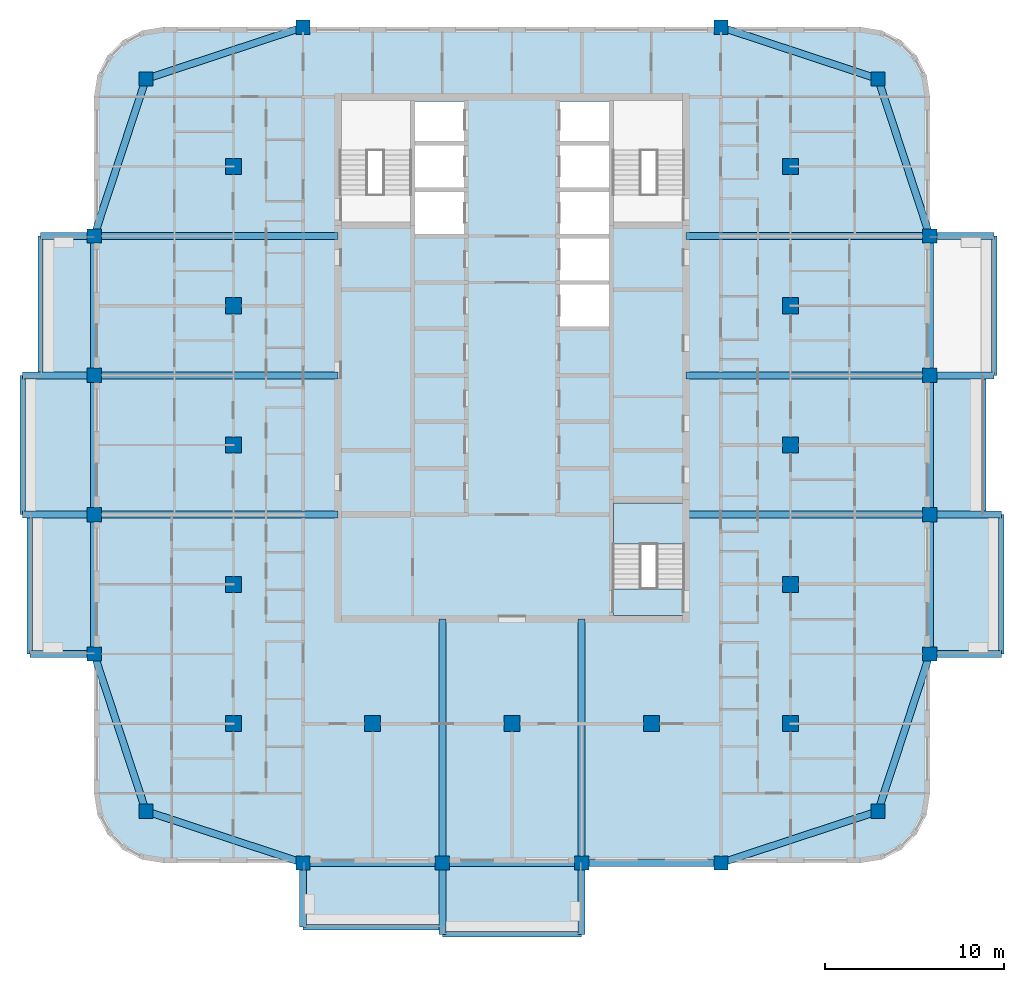
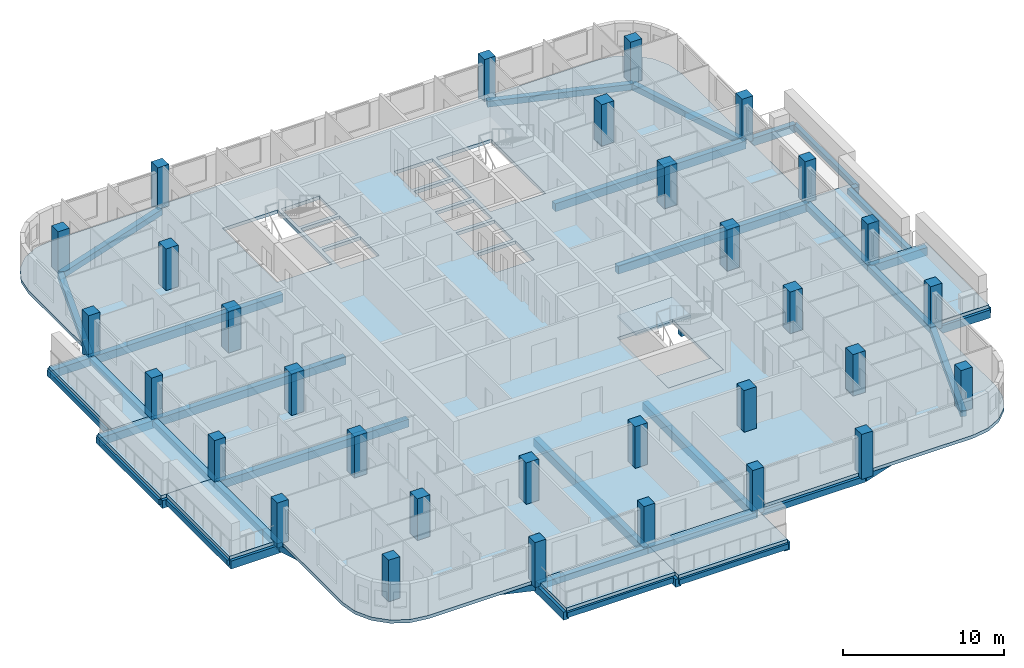
# One storey, part 1 of 16: 44 beams, 31 columns, 10 slabs, 1 element without a shape of its own.
"""IFC4 building model written with IfcOpenShell, lengths in metres."""

from ifc_helpers import new_model, si_unit, direction, frame, origin, origin_2d, place, context, subcontext, project, spatial, polyline, rectangle, outline, extrude, material, layer, layer_set, material_profile, profile_set, type_object, element, aggregate, save


model = new_model("IFC4")

# Units and contexts
model_context = context("Model", 3, precision=1e-05, world=origin(), true_north=direction((0.0, 1.0)))
body_context = subcontext(model_context, "Body", "Model", "MODEL_VIEW")
ifc_project = project(units=[si_unit("LENGTHUNIT", "METRE"), si_unit("AREAUNIT", "SQUARE_METRE"), si_unit("VOLUMEUNIT", "CUBIC_METRE"), si_unit("PLANEANGLEUNIT", "RADIAN"), si_unit("MASSUNIT", "GRAM", prefix="KILO")], contexts=[model_context])

# Site, building, storey
site_placement = place(None, origin())
site = spatial("IfcSite", under=ifc_project, at=site_placement, CompositionType="ELEMENT")
building_placement = place(site_placement, origin())
building = spatial("IfcBuilding", under=site, at=building_placement, Name="Ludao Terraces", CompositionType="ELEMENT")
storey_placement = place(building_placement, frame((0.0, 0.0, 214.300048828125)))
storey = spatial("IfcBuildingStorey", under=building, at=storey_placement, Name="L58", CompositionType="ELEMENT", Elevation=214.300048828125)

# Columns
ifc_material_1 = material(Name="Concrete C50", Category="concrete")
ifc_material_profile_1 = material_profile(ifc_material_1, rectangle(XDim=0.800048828125, YDim=0.800048828125, at=origin_2d()), Name="800 X 800")
ifc_profile_set_1 = profile_set([ifc_material_profile_1], Name="Concrete C50")
column_type_1 = type_object("IfcColumnType", Name="RC column 800x800 C50", PredefinedType="COLUMN", material=ifc_profile_set_1)
for number, where, z_axis, x_axis, name in (
    (1, (64.5, 44.5, -0.25), (0.0, 0.0, 1.0), (1.0, 0.0, 0.0), "Column L58 C0029x0029"),
    (2, (105.5, 44.5, -0.25), (0.0, 0.0, 1.0), (1.0, 0.0, 0.0), "Column L58 C0439x0029"),
    (3, (64.5, 85.5, -0.25), (0.0, 0.0, 1.0), (1.0, 0.0, 0.0), "Column L58 C0029x0439"),
    (4, (105.5, 85.5, -0.25), (0.0, 0.0, 1.0), (1.0, 0.0, 0.0), "Column L58 C0439x0439"),
    (5, (61.60009765625, 53.300048828125, -0.25), (0.0, 0.0, 1.0), (1.0, 0.0, 0.0), "Column L58 F0000x0117"),
    (6, (108.39990234375, 53.300048828125, -0.25), (0.0, 0.0, 1.0), (1.0, 0.0, 0.0), "Column L58 F0468x0117"),
    (7, (73.300048828125, 41.60009765625, -0.25), (0.0, 0.0, 1.0), (1.0, 0.0, 0.0), "Column L58 F0117x0000"),
    (8, (73.300048828125, 88.39990234375, -0.25), (0.0, 0.0, 1.0), (1.0, 0.0, 0.0), "Column L58 F0117x0468"),
    (9, (61.60009765625, 61.10009765625, -0.25), (0.0, 0.0, 1.0), (1.0, 0.0, 0.0), "Column L58 F0000x0195"),
    (10, (108.39990234375, 61.10009765625, -0.25), (0.0, 0.0, 1.0), (1.0, 0.0, 0.0), "Column L58 F0468x0195"),
    (11, (81.10009765625, 41.60009765625, -0.25), (0.0, 0.0, 1.0), (1.0, 0.0, 0.0), "Column L58 F0195x0000"),
    (12, (61.60009765625, 68.89990234375, -0.25), (0.0, 0.0, 1.0), (1.0, 0.0, 0.0), "Column L58 F0000x0273"),
    (13, (108.39990234375, 68.89990234375, -0.25), (0.0, 0.0, 1.0), (1.0, 0.0, 0.0), "Column L58 F0468x0273"),
    (14, (88.89990234375, 41.60009765625, -0.25), (0.0, 0.0, 1.0), (1.0, 0.0, 0.0), "Column L58 F0273x0000"),
    (15, (61.60009765625, 76.699951171875, -0.25), (0.0, 0.0, 1.0), (1.0, 0.0, 0.0), "Column L58 F0000x0351"),
    (16, (108.39990234375, 76.699951171875, -0.25), (0.0, 0.0, 1.0), (1.0, 0.0, 0.0), "Column L58 F0468x0351"),
    (17, (96.699951171875, 41.60009765625, -0.25), (0.0, 0.0, 1.0), (1.0, 0.0, 0.0), "Column L58 F0351x0000"),
    (18, (96.699951171875, 88.39990234375, -0.25), (0.0, 0.0, 1.0), (1.0, 0.0, 0.0), "Column L58 F0351x0468"),
):
    element("IfcColumn", number, at=place(storey_placement, frame(where, z_axis=z_axis, x_axis=x_axis)), inside=storey, type_object=column_type_1, Name=name, PredefinedType="COLUMN", context=body_context, shape_type="SweptSolid", body=[
        extrude(rectangle(XDim=0.800048828125, YDim=0.800048828125, at=origin_2d()), origin(), (0.0, 0.0, 1.0), 3.39990234375),
    ])
ifc_material_profile_2 = material_profile(ifc_material_1, rectangle(XDim=0.89990234375, YDim=0.89990234375, at=origin_2d()), Name="900 X 900")
ifc_profile_set_2 = profile_set([ifc_material_profile_2], Name="Concrete C50")
column_type_2 = type_object("IfcColumnType", Name="RC column 900x900 C50", PredefinedType="COLUMN", material=ifc_profile_set_2)
for number, where, z_axis, x_axis, name in (
    (19, (69.39990234375, 49.39990234375, -0.25), (0.0, 0.0, 1.0), (1.0, 0.0, 0.0), "Column L58 S0078x0078"),
    (20, (69.39990234375, 57.199951171875, -0.25), (0.0, 0.0, 1.0), (1.0, 0.0, 0.0), "Column L58 S0078x0156"),
    (21, (69.39990234375, 65.0, -0.25), (0.0, 0.0, 1.0), (1.0, 0.0, 0.0), "Column L58 S0078x0234"),
    (22, (69.39990234375, 72.800048828125, -0.25), (0.0, 0.0, 1.0), (1.0, 0.0, 0.0), "Column L58 S0078x0312"),
    (23, (69.39990234375, 80.60009765625, -0.25), (0.0, 0.0, 1.0), (1.0, 0.0, 0.0), "Column L58 S0078x0390"),
    (24, (77.199951171875, 49.39990234375, -0.25), (0.0, 0.0, 1.0), (1.0, 0.0, 0.0), "Column L58 S0156x0078"),
    (25, (85.0, 49.39990234375, -0.25), (0.0, 0.0, 1.0), (1.0, 0.0, 0.0), "Column L58 S0234x0078"),
    (26, (92.800048828125, 49.39990234375, -0.25), (0.0, 0.0, 1.0), (1.0, 0.0, 0.0), "Column L58 S0312x0078"),
    (27, (100.60009765625, 49.39990234375, -0.25), (0.0, 0.0, 1.0), (1.0, 0.0, 0.0), "Column L58 S0390x0078"),
    (28, (100.60009765625, 57.199951171875, -0.25), (0.0, 0.0, 1.0), (1.0, 0.0, 0.0), "Column L58 S0390x0156"),
    (29, (100.60009765625, 65.0, -0.25), (0.0, 0.0, 1.0), (1.0, 0.0, 0.0), "Column L58 S0390x0234"),
    (30, (100.60009765625, 72.800048828125, -0.25), (0.0, 0.0, 1.0), (1.0, 0.0, 0.0), "Column L58 S0390x0312"),
    (31, (100.60009765625, 80.60009765625, -0.25), (0.0, 0.0, 1.0), (1.0, 0.0, 0.0), "Column L58 S0390x0390"),
):
    element("IfcColumn", number, at=place(storey_placement, frame(where, z_axis=z_axis, x_axis=x_axis)), inside=storey, type_object=column_type_2, Name=name, PredefinedType="COLUMN", context=body_context, shape_type="SweptSolid", body=[
        extrude(rectangle(XDim=0.89990234375, YDim=0.89990234375, at=origin_2d()), origin(), (0.0, 0.0, 1.0), 3.39990234375),
    ])

# Beams
ifc_material_2 = material(Name="Concrete C40", Category="concrete")
ifc_material_profile_3 = material_profile(ifc_material_2, rectangle(XDim=0.300048828125, YDim=0.39990234375, at=origin_2d()), Name="300 X 400")
ifc_profile_set_3 = profile_set([ifc_material_profile_3], Name="Concrete C40")
beam_type_1 = type_object("IfcBeamType", Name="RC beam 300x400 C40", PredefinedType="BEAM", material=ifc_profile_set_3)
beam_1_placement = place(storey_placement, frame((73.300048828125, 38.0, -0.449951171875), z_axis=(1.0, 0.0, 0.0), x_axis=(0.0, 1.0, 0.0)))
element("IfcBeam", 32, at=beam_1_placement, inside=storey, type_object=beam_type_1, Name="Balcony edge beam L58 S1", PredefinedType="BEAM", context=body_context, shape_type="SweptSolid", body=[
    extrude(rectangle(XDim=0.300048828125, YDim=0.39990234375, at=origin_2d()), origin(), (0.0, 0.0, 1.0), 7.800048828125),
])
beam_2_placement = place(storey_placement, frame((81.10009765625, 37.60009765625, -0.449951171875), z_axis=(1.0, 0.0, 0.0), x_axis=(0.0, 1.0, 0.0)))
element("IfcBeam", 33, at=beam_2_placement, inside=storey, type_object=beam_type_1, Name="Balcony edge beam L58 S2", PredefinedType="BEAM", context=body_context, shape_type="SweptSolid", body=[
    extrude(rectangle(XDim=0.300048828125, YDim=0.39990234375, at=origin_2d()), origin(), (0.0, 0.0, 1.0), 7.7998046875),
])
beam_3_placement = place(storey_placement, frame((112.39990234375, 53.300048828125, -0.449951171875), z_axis=(0.0, 1.0, 0.0), x_axis=(-1.0, 0.0, 0.0)))
element("IfcBeam", 34, at=beam_3_placement, inside=storey, type_object=beam_type_1, Name="Balcony edge beam L58 E1", PredefinedType="BEAM", context=body_context, shape_type="SweptSolid", body=[
    extrude(rectangle(XDim=0.300048828125, YDim=0.39990234375, at=origin_2d()), origin(), (0.0, 0.0, 1.0), 7.800048828125),
])
beam_4_placement = place(storey_placement, frame((111.39990234375, 61.10009765625, -0.449951171875), z_axis=(0.0, 1.0, 0.0), x_axis=(-1.0, 0.0, 0.0)))
element("IfcBeam", 35, at=beam_4_placement, inside=storey, type_object=beam_type_1, Name="Balcony edge beam L58 E2", PredefinedType="BEAM", context=body_context, shape_type="SweptSolid", body=[
    extrude(rectangle(XDim=0.300048828125, YDim=0.39990234375, at=origin_2d()), origin(), (0.0, 0.0, 1.0), 7.7998046875),
])
for number, where, z_axis, x_axis, name in (
    (36, (112.0, 68.89990234375, -0.449951171875), (0.0, 1.0, 0.0), (-1.0, 0.0, 0.0), "Balcony edge beam L58 E3"),
    (37, (58.0, 53.300048828125, -0.449951171875), (0.0, 1.0, 0.0), (-1.0, 0.0, 0.0), "Balcony edge beam L58 W1"),
):
    element("IfcBeam", number, at=place(storey_placement, frame(where, z_axis=z_axis, x_axis=x_axis)), inside=storey, type_object=beam_type_1, Name=name, PredefinedType="BEAM", context=body_context, shape_type="SweptSolid", body=[
        extrude(rectangle(XDim=0.300048828125, YDim=0.39990234375, at=origin_2d()), origin(), (0.0, 0.0, 1.0), 7.800048828125),
    ])
beam_5_placement = place(storey_placement, frame((57.60009765625, 61.10009765625, -0.449951171875), z_axis=(0.0, 1.0, 0.0), x_axis=(-1.0, 0.0, 0.0)))
element("IfcBeam", 38, at=beam_5_placement, inside=storey, type_object=beam_type_1, Name="Balcony edge beam L58 W2", PredefinedType="BEAM", context=body_context, shape_type="SweptSolid", body=[
    extrude(rectangle(XDim=0.300048828125, YDim=0.39990234375, at=origin_2d()), origin(), (0.0, 0.0, 1.0), 7.7998046875),
])
beam_6_placement = place(storey_placement, frame((58.60009765625, 68.89990234375, -0.449951171875), z_axis=(0.0, 1.0, 0.0), x_axis=(-1.0, 0.0, 0.0)))
element("IfcBeam", 39, at=beam_6_placement, inside=storey, type_object=beam_type_1, Name="Balcony edge beam L58 W3", PredefinedType="BEAM", context=body_context, shape_type="SweptSolid", body=[
    extrude(rectangle(XDim=0.300048828125, YDim=0.39990234375, at=origin_2d()), origin(), (0.0, 0.0, 1.0), 7.800048828125),
])
ifc_material_profile_4 = material_profile(ifc_material_2, rectangle(XDim=0.39990234375, YDim=0.449951171875, at=origin_2d()), Name="400 X 450")
ifc_profile_set_4 = profile_set([ifc_material_profile_4], Name="Concrete C40")
beam_type_2 = type_object("IfcBeamType", Name="RC beam 400x450 C40", PredefinedType="BEAM", material=ifc_profile_set_4)
beam_7_placement = place(storey_placement, frame((64.5, 44.5, -0.47509765625), z_axis=(0.949760691408, -0.312977042379, 0.0), x_axis=(0.312977042379, 0.949760691408, 0.0)))
element("IfcBeam", 40, at=beam_7_placement, inside=storey, type_object=beam_type_2, Name="Spandrel beam L58 S1", PredefinedType="BEAM", context=body_context, shape_type="SweptSolid", body=[
    extrude(rectangle(XDim=0.39990234375, YDim=0.449951171875, at=origin_2d()), origin(), (0.0, 0.0, 1.0), 9.265625),
])
beam_8_placement = place(storey_placement, frame((73.300048828125, 41.60009765625, -0.47509765625), z_axis=(1.0, 0.0, 0.0), x_axis=(0.0, 1.0, 0.0)))
element("IfcBeam", 41, at=beam_8_placement, inside=storey, type_object=beam_type_2, Name="Spandrel beam L58 S2", PredefinedType="BEAM", context=body_context, shape_type="SweptSolid", body=[
    extrude(rectangle(XDim=0.39990234375, YDim=0.449951171875, at=origin_2d()), origin(), (0.0, 0.0, 1.0), 7.800048828125),
])
beam_9_placement = place(storey_placement, frame((81.10009765625, 41.60009765625, -0.47509765625), z_axis=(1.0, 0.0, 0.0), x_axis=(0.0, 1.0, 0.0)))
element("IfcBeam", 42, at=beam_9_placement, inside=storey, type_object=beam_type_2, Name="Spandrel beam L58 S3", PredefinedType="BEAM", context=body_context, shape_type="SweptSolid", body=[
    extrude(rectangle(XDim=0.39990234375, YDim=0.449951171875, at=origin_2d()), origin(), (0.0, 0.0, 1.0), 7.7998046875),
])
beam_10_placement = place(storey_placement, frame((88.89990234375, 41.60009765625, -0.47509765625), z_axis=(1.0, 0.0, 0.0), x_axis=(0.0, 1.0, 0.0)))
element("IfcBeam", 43, at=beam_10_placement, inside=storey, type_object=beam_type_2, Name="Spandrel beam L58 S4", PredefinedType="BEAM", context=body_context, shape_type="SweptSolid", body=[
    extrude(rectangle(XDim=0.39990234375, YDim=0.449951171875, at=origin_2d()), origin(), (0.0, 0.0, 1.0), 7.800048828125),
])
for number, where, z_axis, x_axis, name in (
    (44, (96.699951171875, 41.60009765625, -0.47509765625), (0.949760691408, 0.312977042379, 0.0), (-0.312977042379, 0.949760691408, 0.0), "Spandrel beam L58 S5"),
    (45, (64.5, 85.5, -0.47509765625), (0.949760691408, 0.312977042379, 0.0), (-0.312977042379, 0.949760691408, 0.0), "Spandrel beam L58 N6"),
    (46, (96.699951171875, 88.39990234375, -0.47509765625), (0.949760691408, -0.312977042379, 0.0), (0.312977042379, 0.949760691408, 0.0), "Spandrel beam L58 N7"),
    (47, (64.5, 44.5, -0.47509765625), (-0.312977042379, 0.949760691408, 0.0), (-0.949760691408, -0.312977042379, 0.0), "Spandrel beam L58 W8"),
):
    element("IfcBeam", number, at=place(storey_placement, frame(where, z_axis=z_axis, x_axis=x_axis)), inside=storey, type_object=beam_type_2, Name=name, PredefinedType="BEAM", context=body_context, shape_type="SweptSolid", body=[
        extrude(rectangle(XDim=0.39990234375, YDim=0.449951171875, at=origin_2d()), origin(), (0.0, 0.0, 1.0), 9.265625),
    ])
beam_11_placement = place(storey_placement, frame((61.60009765625, 53.300048828125, -0.47509765625), z_axis=(0.0, 1.0, 0.0), x_axis=(-1.0, 0.0, 0.0)))
element("IfcBeam", 48, at=beam_11_placement, inside=storey, type_object=beam_type_2, Name="Spandrel beam L58 W9", PredefinedType="BEAM", context=body_context, shape_type="SweptSolid", body=[
    extrude(rectangle(XDim=0.39990234375, YDim=0.449951171875, at=origin_2d()), origin(), (0.0, 0.0, 1.0), 7.800048828125),
])
beam_12_placement = place(storey_placement, frame((61.60009765625, 61.10009765625, -0.47509765625), z_axis=(0.0, 1.0, 0.0), x_axis=(-1.0, 0.0, 0.0)))
element("IfcBeam", 49, at=beam_12_placement, inside=storey, type_object=beam_type_2, Name="Spandrel beam L58 W10", PredefinedType="BEAM", context=body_context, shape_type="SweptSolid", body=[
    extrude(rectangle(XDim=0.39990234375, YDim=0.449951171875, at=origin_2d()), origin(), (0.0, 0.0, 1.0), 7.7998046875),
])
beam_13_placement = place(storey_placement, frame((61.60009765625, 68.89990234375, -0.47509765625), z_axis=(0.0, 1.0, 0.0), x_axis=(-1.0, 0.0, 0.0)))
element("IfcBeam", 50, at=beam_13_placement, inside=storey, type_object=beam_type_2, Name="Spandrel beam L58 W11", PredefinedType="BEAM", context=body_context, shape_type="SweptSolid", body=[
    extrude(rectangle(XDim=0.39990234375, YDim=0.449951171875, at=origin_2d()), origin(), (0.0, 0.0, 1.0), 7.800048828125),
])
for number, where, z_axis, x_axis, name in (
    (51, (61.60009765625, 76.699951171875, -0.47509765625), (0.312977042379, 0.949760691408, 0.0), (-0.949760691408, 0.312977042379, 0.0), "Spandrel beam L58 W12"),
    (52, (105.5, 44.5, -0.47509765625), (0.312977042379, 0.949760691408, 0.0), (-0.949760691408, 0.312977042379, 0.0), "Spandrel beam L58 E13"),
):
    element("IfcBeam", number, at=place(storey_placement, frame(where, z_axis=z_axis, x_axis=x_axis)), inside=storey, type_object=beam_type_2, Name=name, PredefinedType="BEAM", context=body_context, shape_type="SweptSolid", body=[
        extrude(rectangle(XDim=0.39990234375, YDim=0.449951171875, at=origin_2d()), origin(), (0.0, 0.0, 1.0), 9.265625),
    ])
beam_14_placement = place(storey_placement, frame((108.39990234375, 53.300048828125, -0.47509765625), z_axis=(0.0, 1.0, 0.0), x_axis=(-1.0, 0.0, 0.0)))
element("IfcBeam", 53, at=beam_14_placement, inside=storey, type_object=beam_type_2, Name="Spandrel beam L58 E14", PredefinedType="BEAM", context=body_context, shape_type="SweptSolid", body=[
    extrude(rectangle(XDim=0.39990234375, YDim=0.449951171875, at=origin_2d()), origin(), (0.0, 0.0, 1.0), 7.800048828125),
])
beam_15_placement = place(storey_placement, frame((108.39990234375, 61.10009765625, -0.47509765625), z_axis=(0.0, 1.0, 0.0), x_axis=(-1.0, 0.0, 0.0)))
element("IfcBeam", 54, at=beam_15_placement, inside=storey, type_object=beam_type_2, Name="Spandrel beam L58 E15", PredefinedType="BEAM", context=body_context, shape_type="SweptSolid", body=[
    extrude(rectangle(XDim=0.39990234375, YDim=0.449951171875, at=origin_2d()), origin(), (0.0, 0.0, 1.0), 7.7998046875),
])
beam_16_placement = place(storey_placement, frame((108.39990234375, 68.89990234375, -0.47509765625), z_axis=(0.0, 1.0, 0.0), x_axis=(-1.0, 0.0, 0.0)))
element("IfcBeam", 55, at=beam_16_placement, inside=storey, type_object=beam_type_2, Name="Spandrel beam L58 E16", PredefinedType="BEAM", context=body_context, shape_type="SweptSolid", body=[
    extrude(rectangle(XDim=0.39990234375, YDim=0.449951171875, at=origin_2d()), origin(), (0.0, 0.0, 1.0), 7.800048828125),
])
beam_17_placement = place(storey_placement, frame((108.39990234375, 76.699951171875, -0.47509765625), z_axis=(-0.312977042379, 0.949760691408, 0.0), x_axis=(-0.949760691408, -0.312977042379, 0.0)))
element("IfcBeam", 56, at=beam_17_placement, inside=storey, type_object=beam_type_2, Name="Spandrel beam L58 E17", PredefinedType="BEAM", context=body_context, shape_type="SweptSolid", body=[
    extrude(rectangle(XDim=0.39990234375, YDim=0.449951171875, at=origin_2d()), origin(), (0.0, 0.0, 1.0), 9.265625),
])
ifc_material_profile_5 = material_profile(ifc_material_2, rectangle(XDim=0.39990234375, YDim=0.60009765625, at=origin_2d()), Name="400 X 600")
ifc_profile_set_5 = profile_set([ifc_material_profile_5], Name="Concrete C40")
beam_type_3 = type_object("IfcBeamType", Name="RC beam 400x600 C40", PredefinedType="BEAM", material=ifc_profile_set_5)
beam_18_placement = place(storey_placement, frame((108.39990234375, 53.300048828125, -0.550048828125), z_axis=(1.0, 0.0, 0.0), x_axis=(0.0, 1.0, 0.0)))
element("IfcBeam", 57, at=beam_18_placement, inside=storey, type_object=beam_type_3, Name="Balcony beam L58 E533", PredefinedType="BEAM", context=body_context, shape_type="SweptSolid", body=[
    extrude(rectangle(XDim=0.39990234375, YDim=0.60009765625, at=origin_2d()), origin(), (0.0, 0.0, 1.0), 4.0),
])
beam_19_placement = place(storey_placement, frame((94.75, 61.10009765625, -0.550048828125), z_axis=(1.0, 0.0, 0.0), x_axis=(0.0, 1.0, 0.0)))
element("IfcBeam", 58, at=beam_19_placement, inside=storey, type_object=beam_type_3, Name="Balcony beam L58 E611", PredefinedType="BEAM", context=body_context, shape_type="SweptSolid", body=[
    extrude(rectangle(XDim=0.39990234375, YDim=0.60009765625, at=origin_2d()), origin(), (0.0, 0.0, 1.0), 13.64990234375),
])
beam_20_placement = place(storey_placement, frame((108.39990234375, 61.10009765625, -0.550048828125), z_axis=(1.0, 0.0, 0.0), x_axis=(0.0, 1.0, 0.0)))
element("IfcBeam", 59, at=beam_20_placement, inside=storey, type_object=beam_type_3, Name="Balcony beam L58 E611", PredefinedType="BEAM", context=body_context, shape_type="SweptSolid", body=[
    extrude(rectangle(XDim=0.39990234375, YDim=0.60009765625, at=origin_2d()), origin(), (0.0, 0.0, 1.0), 4.0),
])
beam_21_placement = place(storey_placement, frame((94.75, 68.89990234375, -0.550048828125), z_axis=(1.0, 0.0, 0.0), x_axis=(0.0, 1.0, 0.0)))
element("IfcBeam", 60, at=beam_21_placement, inside=storey, type_object=beam_type_3, Name="Balcony beam L58 E689", PredefinedType="BEAM", context=body_context, shape_type="SweptSolid", body=[
    extrude(rectangle(XDim=0.39990234375, YDim=0.60009765625, at=origin_2d()), origin(), (0.0, 0.0, 1.0), 13.64990234375),
])
beam_22_placement = place(storey_placement, frame((108.39990234375, 68.89990234375, -0.550048828125), z_axis=(1.0, 0.0, 0.0), x_axis=(0.0, 1.0, 0.0)))
element("IfcBeam", 61, at=beam_22_placement, inside=storey, type_object=beam_type_3, Name="Balcony beam L58 E689", PredefinedType="BEAM", context=body_context, shape_type="SweptSolid", body=[
    extrude(rectangle(XDim=0.39990234375, YDim=0.60009765625, at=origin_2d()), origin(), (0.0, 0.0, 1.0), 3.60009765625),
])
beam_23_placement = place(storey_placement, frame((94.75, 76.699951171875, -0.550048828125), z_axis=(1.0, 0.0, 0.0), x_axis=(0.0, 1.0, 0.0)))
element("IfcBeam", 62, at=beam_23_placement, inside=storey, type_object=beam_type_3, Name="Balcony beam L58 E767", PredefinedType="BEAM", context=body_context, shape_type="SweptSolid", body=[
    extrude(rectangle(XDim=0.39990234375, YDim=0.60009765625, at=origin_2d()), origin(), (0.0, 0.0, 1.0), 13.64990234375),
])
for number, where, z_axis, x_axis, name in (
    (63, (108.39990234375, 76.699951171875, -0.550048828125), (1.0, 0.0, 0.0), (0.0, 1.0, 0.0), "Balcony beam L58 E767"),
    (64, (73.300048828125, 41.60009765625, -0.550048828125), (0.0, -1.0, 0.0), (1.0, 0.0, 0.0), "Balcony beam L58 S733"),
):
    element("IfcBeam", number, at=place(storey_placement, frame(where, z_axis=z_axis, x_axis=x_axis)), inside=storey, type_object=beam_type_3, Name=name, PredefinedType="BEAM", context=body_context, shape_type="SweptSolid", body=[
        extrude(rectangle(XDim=0.39990234375, YDim=0.60009765625, at=origin_2d()), origin(), (0.0, 0.0, 1.0), 3.60009765625),
    ])
beam_24_placement = place(storey_placement, frame((81.10009765625, 55.25, -0.550048828125), z_axis=(0.0, -1.0, 0.0), x_axis=(1.0, 0.0, 0.0)))
element("IfcBeam", 65, at=beam_24_placement, inside=storey, type_object=beam_type_3, Name="Balcony beam L58 S811", PredefinedType="BEAM", context=body_context, shape_type="SweptSolid", body=[
    extrude(rectangle(XDim=0.39990234375, YDim=0.60009765625, at=origin_2d()), origin(), (0.0, 0.0, 1.0), 13.64990234375),
])
beam_25_placement = place(storey_placement, frame((81.10009765625, 41.60009765625, -0.550048828125), z_axis=(0.0, -1.0, 0.0), x_axis=(1.0, 0.0, 0.0)))
element("IfcBeam", 66, at=beam_25_placement, inside=storey, type_object=beam_type_3, Name="Balcony beam L58 S811", PredefinedType="BEAM", context=body_context, shape_type="SweptSolid", body=[
    extrude(rectangle(XDim=0.39990234375, YDim=0.60009765625, at=origin_2d()), origin(), (0.0, 0.0, 1.0), 4.0),
])
beam_26_placement = place(storey_placement, frame((88.89990234375, 55.25, -0.550048828125), z_axis=(0.0, -1.0, 0.0), x_axis=(1.0, 0.0, 0.0)))
element("IfcBeam", 67, at=beam_26_placement, inside=storey, type_object=beam_type_3, Name="Balcony beam L58 S889", PredefinedType="BEAM", context=body_context, shape_type="SweptSolid", body=[
    extrude(rectangle(XDim=0.39990234375, YDim=0.60009765625, at=origin_2d()), origin(), (0.0, 0.0, 1.0), 13.64990234375),
])
beam_27_placement = place(storey_placement, frame((88.89990234375, 41.60009765625, -0.550048828125), z_axis=(0.0, -1.0, 0.0), x_axis=(1.0, 0.0, 0.0)))
element("IfcBeam", 68, at=beam_27_placement, inside=storey, type_object=beam_type_3, Name="Balcony beam L58 S889", PredefinedType="BEAM", context=body_context, shape_type="SweptSolid", body=[
    extrude(rectangle(XDim=0.39990234375, YDim=0.60009765625, at=origin_2d()), origin(), (0.0, 0.0, 1.0), 4.0),
])
beam_28_placement = place(storey_placement, frame((61.60009765625, 53.300048828125, -0.550048828125), z_axis=(-1.0, 0.0, 0.0), x_axis=(0.0, -1.0, 0.0)))
element("IfcBeam", 69, at=beam_28_placement, inside=storey, type_object=beam_type_3, Name="Balcony beam L58 W533", PredefinedType="BEAM", context=body_context, shape_type="SweptSolid", body=[
    extrude(rectangle(XDim=0.39990234375, YDim=0.60009765625, at=origin_2d()), origin(), (0.0, 0.0, 1.0), 3.60009765625),
])
beam_29_placement = place(storey_placement, frame((75.25, 61.10009765625, -0.550048828125), z_axis=(-1.0, 0.0, 0.0), x_axis=(0.0, -1.0, 0.0)))
element("IfcBeam", 70, at=beam_29_placement, inside=storey, type_object=beam_type_3, Name="Balcony beam L58 W611", PredefinedType="BEAM", context=body_context, shape_type="SweptSolid", body=[
    extrude(rectangle(XDim=0.39990234375, YDim=0.60009765625, at=origin_2d()), origin(), (0.0, 0.0, 1.0), 13.64990234375),
])
beam_30_placement = place(storey_placement, frame((61.60009765625, 61.10009765625, -0.550048828125), z_axis=(-1.0, 0.0, 0.0), x_axis=(0.0, -1.0, 0.0)))
element("IfcBeam", 71, at=beam_30_placement, inside=storey, type_object=beam_type_3, Name="Balcony beam L58 W611", PredefinedType="BEAM", context=body_context, shape_type="SweptSolid", body=[
    extrude(rectangle(XDim=0.39990234375, YDim=0.60009765625, at=origin_2d()), origin(), (0.0, 0.0, 1.0), 4.0),
])
beam_31_placement = place(storey_placement, frame((75.25, 68.89990234375, -0.550048828125), z_axis=(-1.0, 0.0, 0.0), x_axis=(0.0, -1.0, 0.0)))
element("IfcBeam", 72, at=beam_31_placement, inside=storey, type_object=beam_type_3, Name="Balcony beam L58 W689", PredefinedType="BEAM", context=body_context, shape_type="SweptSolid", body=[
    extrude(rectangle(XDim=0.39990234375, YDim=0.60009765625, at=origin_2d()), origin(), (0.0, 0.0, 1.0), 13.64990234375),
])
beam_32_placement = place(storey_placement, frame((61.60009765625, 68.89990234375, -0.550048828125), z_axis=(-1.0, 0.0, 0.0), x_axis=(0.0, -1.0, 0.0)))
element("IfcBeam", 73, at=beam_32_placement, inside=storey, type_object=beam_type_3, Name="Balcony beam L58 W689", PredefinedType="BEAM", context=body_context, shape_type="SweptSolid", body=[
    extrude(rectangle(XDim=0.39990234375, YDim=0.60009765625, at=origin_2d()), origin(), (0.0, 0.0, 1.0), 4.0),
])
beam_33_placement = place(storey_placement, frame((75.25, 76.699951171875, -0.550048828125), z_axis=(-1.0, 0.0, 0.0), x_axis=(0.0, -1.0, 0.0)))
element("IfcBeam", 74, at=beam_33_placement, inside=storey, type_object=beam_type_3, Name="Balcony beam L58 W767", PredefinedType="BEAM", context=body_context, shape_type="SweptSolid", body=[
    extrude(rectangle(XDim=0.39990234375, YDim=0.60009765625, at=origin_2d()), origin(), (0.0, 0.0, 1.0), 13.64990234375),
])
beam_34_placement = place(storey_placement, frame((61.60009765625, 76.699951171875, -0.550048828125), z_axis=(-1.0, 0.0, 0.0), x_axis=(0.0, -1.0, 0.0)))
element("IfcBeam", 75, at=beam_34_placement, inside=storey, type_object=beam_type_3, Name="Balcony beam L58 W767", PredefinedType="BEAM", context=body_context, shape_type="SweptSolid", body=[
    extrude(rectangle(XDim=0.39990234375, YDim=0.60009765625, at=origin_2d()), origin(), (0.0, 0.0, 1.0), 3.0),
])

# Slabs
ifc_layer_1 = layer(ifc_material_2, 0.25)
ifc_layer_set_1 = layer_set([ifc_layer_1], Name="Balcony slab 250 C40")
slab_type_1 = type_object("IfcSlabType", Name="Balcony slab 250 C40", PredefinedType="USERDEFINED", material=ifc_layer_set_1)
slab_1_placement = place(storey_placement, frame((0.0, 0.0, -0.25)))
element("IfcSlab", 76, at=slab_1_placement, inside=storey, type_object=slab_type_1, Name="Balcony L58 S1", ObjectType="BALCONY", PredefinedType="USERDEFINED", context=body_context, shape_type="SweptSolid", body=[
    extrude(outline(polyline([(73.300048828125, 38.0), (81.10009765625, 38.0), (81.10009765625, 41.60009765625), (73.300048828125, 41.60009765625), (73.300048828125, 38.0)])), origin(), (0.0, 0.0, 1.0), 0.25),
])
slab_2_placement = place(storey_placement, frame((0.0, 0.0, -0.25)))
element("IfcSlab", 77, at=slab_2_placement, inside=storey, type_object=slab_type_1, Name="Balcony L58 S2", ObjectType="BALCONY", PredefinedType="USERDEFINED", context=body_context, shape_type="SweptSolid", body=[
    extrude(outline(polyline([(81.10009765625, 37.60009765625), (88.89990234375, 37.60009765625), (88.89990234375, 41.60009765625), (81.10009765625, 41.60009765625), (81.10009765625, 37.60009765625)])), origin(), (0.0, 0.0, 1.0), 0.25),
])
slab_3_placement = place(storey_placement, frame((0.0, 0.0, -0.25)))
element("IfcSlab", 78, at=slab_3_placement, inside=storey, type_object=slab_type_1, Name="Balcony L58 E1", ObjectType="BALCONY", PredefinedType="USERDEFINED", context=body_context, shape_type="SweptSolid", body=[
    extrude(outline(polyline([(108.39990234375, 53.300048828125), (112.39990234375, 53.300048828125), (112.39990234375, 61.10009765625), (108.39990234375, 61.10009765625), (108.39990234375, 53.300048828125)])), origin(), (0.0, 0.0, 1.0), 0.25),
])
slab_4_placement = place(storey_placement, frame((0.0, 0.0, -0.25)))
element("IfcSlab", 79, at=slab_4_placement, inside=storey, type_object=slab_type_1, Name="Balcony L58 E2", ObjectType="BALCONY", PredefinedType="USERDEFINED", context=body_context, shape_type="SweptSolid", body=[
    extrude(outline(polyline([(108.39990234375, 61.10009765625), (111.39990234375, 61.10009765625), (111.39990234375, 68.89990234375), (108.39990234375, 68.89990234375), (108.39990234375, 61.10009765625)])), origin(), (0.0, 0.0, 1.0), 0.25),
])
slab_5_placement = place(storey_placement, frame((0.0, 0.0, -0.25)))
element("IfcSlab", 80, at=slab_5_placement, inside=storey, type_object=slab_type_1, Name="Balcony L58 W1", ObjectType="BALCONY", PredefinedType="USERDEFINED", context=body_context, shape_type="SweptSolid", body=[
    extrude(outline(polyline([(58.0, 53.300048828125), (61.60009765625, 53.300048828125), (61.60009765625, 61.10009765625), (58.0, 61.10009765625), (58.0, 53.300048828125)])), origin(), (0.0, 0.0, 1.0), 0.25),
])
slab_6_placement = place(storey_placement, frame((0.0, 0.0, -0.25)))
element("IfcSlab", 81, at=slab_6_placement, inside=storey, type_object=slab_type_1, Name="Balcony L58 W2", ObjectType="BALCONY", PredefinedType="USERDEFINED", context=body_context, shape_type="SweptSolid", body=[
    extrude(outline(polyline([(57.60009765625, 61.10009765625), (61.60009765625, 61.10009765625), (61.60009765625, 68.89990234375), (57.60009765625, 68.89990234375), (57.60009765625, 61.10009765625)])), origin(), (0.0, 0.0, 1.0), 0.25),
])
slab_7_placement = place(storey_placement, frame((0.0, 0.0, -0.25)))
element("IfcSlab", 82, at=slab_7_placement, inside=storey, type_object=slab_type_1, Name="Balcony L58 W3", ObjectType="BALCONY", PredefinedType="USERDEFINED", context=body_context, shape_type="SweptSolid", body=[
    extrude(outline(polyline([(58.60009765625, 68.89990234375), (61.60009765625, 68.89990234375), (61.60009765625, 76.699951171875), (58.60009765625, 76.699951171875), (58.60009765625, 68.89990234375)])), origin(), (0.0, 0.0, 1.0), 0.25),
])
ifc_layer_2 = layer(ifc_material_2, 0.25)
ifc_layer_set_2 = layer_set([ifc_layer_2], Name="Floor slab 250 C40")
slab_type_2 = type_object("IfcSlabType", Name="Floor slab 250 C40", PredefinedType="FLOOR", material=ifc_layer_set_2)
slab_8_placement = place(storey_placement, frame((0.0, 0.0, -0.25)))
element("IfcSlab", 83, at=slab_8_placement, inside=storey, type_object=slab_type_2, Name="Slab L58", PredefinedType="FLOOR", context=body_context, shape_type="SweptSolid", body=[
    extrude(outline(polyline([(104.5, 41.60009765625), (105.705078125, 41.790771484375), (106.79248046875, 42.3447265625), (107.6552734375, 43.20751953125), (108.209228515625, 44.294921875), (108.39990234375, 45.5), (108.39990234375, 84.5), (108.209228515625, 85.705078125), (107.6552734375, 86.79248046875), (106.79248046875, 87.6552734375), (105.705078125, 88.209228515625), (104.5, 88.39990234375), (65.5, 88.39990234375), (64.294921875, 88.209228515625), (63.20751953125, 87.6552734375), (62.3447265625, 86.79248046875), (61.790771484375, 85.705078125), (61.60009765625, 84.5), (61.60009765625, 45.5), (61.790771484375, 44.294921875), (62.3447265625, 43.20751953125), (63.20751953125, 42.3447265625), (64.294921875, 41.790771484375), (65.5, 41.60009765625), (104.5, 41.60009765625)]), holes=[polyline([(79.574951171875, 76.824951171875), (82.324951171875, 76.824951171875), (82.324951171875, 79.175048828125), (79.574951171875, 79.175048828125), (79.574951171875, 76.824951171875)]), polyline([(79.574951171875, 79.425048828125), (82.324951171875, 79.425048828125), (82.324951171875, 81.77490234375), (79.574951171875, 81.77490234375), (79.574951171875, 79.425048828125)]), polyline([(79.574951171875, 82.02490234375), (82.324951171875, 82.02490234375), (82.324951171875, 84.239990234375), (79.574951171875, 84.239990234375), (79.574951171875, 82.02490234375)]), polyline([(87.675048828125, 71.625), (90.425048828125, 71.625), (90.425048828125, 73.97509765625), (87.675048828125, 73.97509765625), (87.675048828125, 71.625)]), polyline([(87.675048828125, 74.22509765625), (90.425048828125, 74.22509765625), (90.425048828125, 76.574951171875), (87.675048828125, 76.574951171875), (87.675048828125, 74.22509765625)]), polyline([(87.675048828125, 76.824951171875), (90.425048828125, 76.824951171875), (90.425048828125, 79.175048828125), (87.675048828125, 79.175048828125), (87.675048828125, 76.824951171875)]), polyline([(87.675048828125, 79.425048828125), (90.425048828125, 79.425048828125), (90.425048828125, 81.77490234375), (87.675048828125, 81.77490234375), (87.675048828125, 79.425048828125)]), polyline([(87.675048828125, 82.02490234375), (90.425048828125, 82.02490234375), (90.425048828125, 84.239990234375), (87.675048828125, 84.239990234375), (87.675048828125, 82.02490234375)]), polyline([(75.375, 77.5), (79.324951171875, 77.5), (79.324951171875, 84.239990234375), (75.375, 84.239990234375), (75.375, 77.5)]), polyline([(90.675048828125, 77.5), (94.625, 77.5), (94.625, 84.239990234375), (90.675048828125, 84.239990234375), (90.675048828125, 77.5)]), polyline([(90.675048828125, 55.449951171875), (94.625, 55.449951171875), (94.625, 61.75), (90.675048828125, 61.75), (90.675048828125, 55.449951171875)])]), origin(), (0.0, 0.0, 1.0), 0.25),
])

# Stair, slabs
stair_type = type_object("IfcStairType", Name="INT Stair", PredefinedType="HALF_TURN_STAIR", material=ifc_material_2)
stair_placement = place(storey_placement, origin())
stair = element("IfcStair", 84, at=stair_placement, inside=storey, type_object=stair_type, Name="EXIT STAIR 3", PredefinedType="HALF_TURN_STAIR")
ifc_layer_3 = layer(ifc_material_2, 0.199951171875)
ifc_layer_set_3 = layer_set([ifc_layer_3], Name="INT Stair landing 200")
slab_type_3 = type_object("IfcSlabType", Name="INT Stair landing 200", PredefinedType="LANDING", material=ifc_layer_set_3)
slab_9_placement = place(storey_placement, frame((0.0, 0.0, 1.5)))
slab_9 = element("IfcSlab", 85, at=slab_9_placement, type_object=slab_type_3, Name="ST3 landing 1", PredefinedType="LANDING", context=body_context, shape_type="SweptSolid", body=[
    extrude(outline(polyline([(90.675048828125, 59.469970703125), (94.625, 59.469970703125), (94.625, 61.75), (90.675048828125, 61.75), (90.675048828125, 59.469970703125)])), origin(), (0.0, 0.0, 1.0), 0.199951171875),
])
slab_10_placement = place(storey_placement, frame((0.0, 0.0, -0.199951171875)))
slab_10 = element("IfcSlab", 86, at=slab_10_placement, type_object=slab_type_3, Name="ST3 landing 2", PredefinedType="LANDING", context=body_context, shape_type="SweptSolid", body=[
    extrude(outline(polyline([(90.675048828125, 55.449951171875), (94.625, 55.449951171875), (94.625, 56.949951171875), (90.675048828125, 56.949951171875), (90.675048828125, 55.449951171875)])), origin(), (0.0, 0.0, 1.0), 0.199951171875),
])
aggregate(stair, [slab_9, slab_10])

save(model, "model.ifc")
